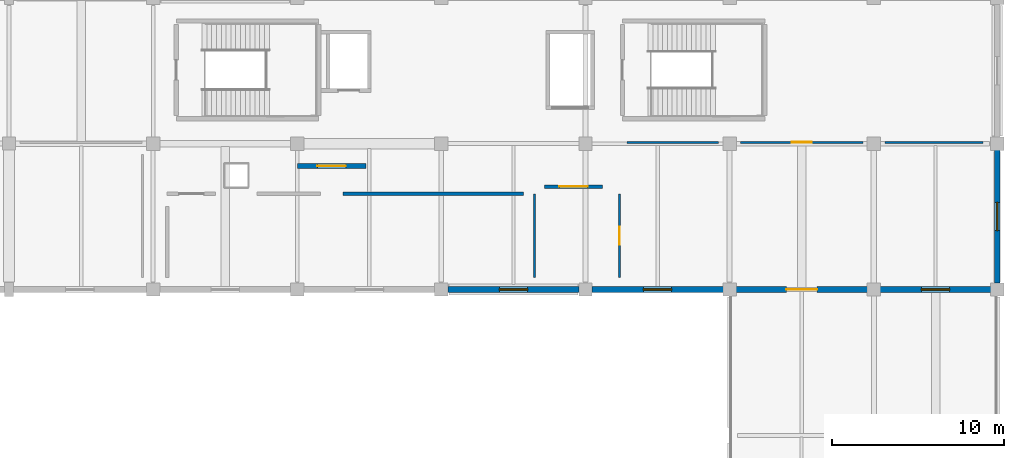
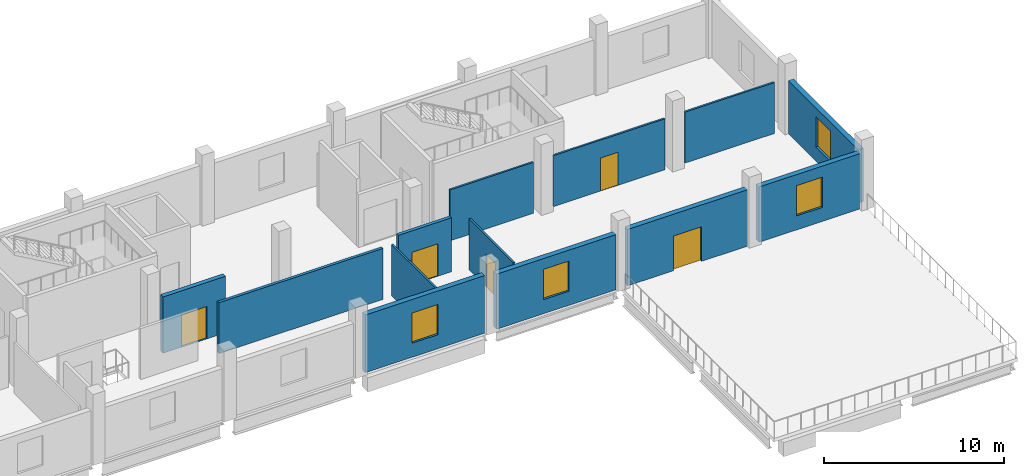
# One storey, part 105 of 117: 13 walls, 5 doors, 4 windows, 9 openings.
"""IFC4 building model written with IfcOpenShell, lengths in metres."""

import ifcopenshell
import ifcopenshell.guid

model = None  # the IFC model being written
_history = None  # IfcOwnerHistory: only IFC2X3 demands one
_inside = {}  # id of a spatial element -> (the spatial element, [elements in it])
_under = {}  # id of a project, library or spatial element -> (it, [spatial elements below it])
_declared = {}  # id of a project -> (the project, [libraries it declares])
_typed = {}  # id of a type object -> (the type object, [elements of that type])
_made_of = {}  # id of a material, layer set ... -> (it, [elements and type objects made of it])


def new_model(schema):
    """Start an empty IFC model of exactly this schema.

    Asked for "IFC4X3", IfcOpenShell would pick the latest addendum, in which some entities
    have other attributes; the version numbers below select the first issue.
    IFC2X3 requires an IfcOwnerHistory on every rooted entity: one is made here for all.
    """
    global model, _history
    if schema == "IFC4X3":
        model = ifcopenshell.file(schema_version=(4, 3, 0, 0))
    else:
        model = ifcopenshell.file(schema=schema)
    _inside.clear()
    _under.clear()
    _declared.clear()
    _typed.clear()
    _made_of.clear()
    _history = None
    if model.schema == "IFC2X3":
        org = make("IfcOrganization", Name="unknown")
        user = make(
            "IfcPersonAndOrganization",
            ThePerson=make("IfcPerson", FamilyName="unknown"),
            TheOrganization=org,
        )
        app = make(
            "IfcApplication",
            ApplicationDeveloper=org,
            Version="unknown",
            ApplicationFullName="unknown",
            ApplicationIdentifier="unknown",
        )
        _history = make(
            "IfcOwnerHistory",
            OwningUser=user,
            OwningApplication=app,
            ChangeAction="ADDED",
            CreationDate=0,
        )
    return model


def make(cls, **values):
    """One entity of the class cls with the attributes given. An attribute that is None is left unset."""
    return model.create_entity(
        cls, **{name: value for name, value in values.items() if value is not None}
    )


def rooted(cls, **values):
    """An entity with a GlobalId (a new one), such as an element, a storey or a relation."""
    return make(cls, GlobalId=ifcopenshell.guid.new(), OwnerHistory=_history, **values)


def si_unit(unit_type, name, prefix=None):
    """IfcSIUnit, for example si_unit("LENGTHUNIT", "METRE", prefix="MILLI")."""
    return make("IfcSIUnit", UnitType=unit_type, Prefix=prefix, Name=name)


def assignment(units):
    """IfcUnitAssignment: the units of a project."""
    return None if units is None else make("IfcUnitAssignment", Units=units)


def point(xyz):
    """IfcCartesianPoint."""
    return None if xyz is None else make("IfcCartesianPoint", Coordinates=xyz)


def direction(xyz):
    """IfcDirection."""
    return None if xyz is None else make("IfcDirection", DirectionRatios=xyz)


def frame(location, z_axis=None, x_axis=None):
    """IfcAxis2Placement3D, a coordinate frame: its origin and axes. An axis left out is left unset."""
    return make(
        "IfcAxis2Placement3D",
        Location=point(location),
        Axis=direction(z_axis),
        RefDirection=direction(x_axis),
    )


def frame_2d(location, x_axis=None):
    """IfcAxis2Placement2D, a coordinate frame in the plane: its origin and x axis."""
    return make(
        "IfcAxis2Placement2D", Location=point(location), RefDirection=direction(x_axis)
    )


def origin():
    """The frame at (0, 0, 0) with its axes left unset."""
    return frame((0.0, 0.0, 0.0))


def place(relative_to, where):
    """IfcLocalPlacement: puts the frame where relative to a parent placement (None: the world)."""
    return make(
        "IfcLocalPlacement", PlacementRelTo=relative_to, RelativePlacement=where
    )


def context(
    kind, dimensions, precision=None, world=None, true_north=None, identifier=None
):
    """IfcGeometricRepresentationContext, for example the 3D "Model" context."""
    return make(
        "IfcGeometricRepresentationContext",
        ContextIdentifier=identifier,
        ContextType=kind,
        CoordinateSpaceDimension=dimensions,
        Precision=precision,
        WorldCoordinateSystem=world,
        TrueNorth=true_north,
    )


def subcontext(parent, identifier, kind, view, scale=None):
    """IfcGeometricRepresentationSubContext, for example "Body" below "Model"."""
    return make(
        "IfcGeometricRepresentationSubContext",
        ContextIdentifier=identifier,
        ContextType=kind,
        ParentContext=parent,
        TargetScale=scale,
        TargetView=view,
    )


def project(units=None, contexts=None):
    """IfcProject with its units and contexts."""
    return rooted(
        "IfcProject",
        Name="project",
        RepresentationContexts=contexts,
        UnitsInContext=assignment(units),
    )


def spatial(cls, under=None, at=None, **own):
    """A site, building, storey or space (cls), placed at a placement, below another one or the project."""
    s = rooted(cls, ObjectPlacement=at, **own)
    if under is not None:
        _under.setdefault(under.id(), (under, []))[1].append(s)
    return s


def profile(cls, at=None, kind="AREA", **sizes):
    """A parametric profile (cls). Its sizes go by their IFC names, for example OverallWidth=200.0."""
    return make(cls, ProfileType=kind, Position=at, **sizes)


def rectangle(**sizes):
    """IfcRectangleProfileDef."""
    return profile("IfcRectangleProfileDef", **sizes)


def extrude(swept, where, along, depth):
    """IfcExtrudedAreaSolid: the profile swept, set in the frame where, extruded along a direction by depth."""
    return make(
        "IfcExtrudedAreaSolid",
        SweptArea=swept,
        Position=where,
        ExtrudedDirection=direction(along),
        Depth=depth,
    )


def shape(context_of_items, identifier, shape_type, items):
    """IfcShapeRepresentation: the items that make up one representation, for example the "Body"."""
    return make(
        "IfcShapeRepresentation",
        ContextOfItems=context_of_items,
        RepresentationIdentifier=identifier,
        RepresentationType=shape_type,
        Items=items,
    )


def material(Name=None, Category=None):
    """IfcMaterial."""
    return make("IfcMaterial", Name=Name, Category=Category)


def layer(
    of_material, thickness, ventilated=None, Name=None, Category=None, Priority=None
):
    """IfcMaterialLayer: one layer of a wall or slab, of a material (None: an air gap)."""
    return make(
        "IfcMaterialLayer",
        Material=of_material,
        LayerThickness=thickness,
        IsVentilated=ventilated,
        Name=Name,
        Category=Category,
        Priority=Priority,
    )


def layer_set(layers, Name=None):
    """IfcMaterialLayerSet."""
    return make("IfcMaterialLayerSet", MaterialLayers=layers, LayerSetName=Name)


def made_of(thing, what):
    """Note that an element or type object is made of a material, layer set ...; save() writes the relation."""
    if what is not None:
        _made_of.setdefault(what.id(), (what, []))[1].append(thing)
    return thing


def type_object(cls, material=None, **own):
    """A type object (cls), such as IfcWallType, which elements share."""
    return made_of(rooted(cls, **own), material)


def element(
    cls,
    number,
    at=None,
    inside=None,
    cuts=None,
    type_object=None,
    material=None,
    context=None,
    identifier="Body",
    shape_type=None,
    held_by="IfcProductDefinitionShape",
    body=None,
    shapes=None,
    **own,
):
    """One element of the class cls, such as IfcWall. Its Tag is "e" and its number.

    at: its placement. inside: the storey or other place that contains it. cuts: it is an
    opening in that element (IfcRelVoidsElement). A single representation is given by context,
    identifier, shape_type and body (its items); several are given by shapes. held_by: the class
    of the entity that holds the representations. save() writes the other relations.
    """
    e = rooted(cls, Tag="e%d" % number, ObjectPlacement=at, **own)
    if body is not None:
        shapes = [shape(context, identifier, shape_type, body)]
    if shapes is not None:
        e.Representation = make(held_by, Representations=shapes)
    if inside is not None:
        _inside.setdefault(inside.id(), (inside, []))[1].append(e)
    if cuts is not None:
        rooted(
            "IfcRelVoidsElement", RelatingBuildingElement=cuts, RelatedOpeningElement=e
        )
    if type_object is not None:
        _typed.setdefault(type_object.id(), (type_object, []))[1].append(e)
    return made_of(e, material)


def fill(opening, filler):
    """IfcRelFillsElement: the door or window that sits in an opening."""
    return rooted(
        "IfcRelFillsElement",
        RelatingOpeningElement=opening,
        RelatedBuildingElement=filler,
    )


def aggregate(whole, parts):
    """IfcRelAggregates: a whole, such as a stair, and the parts it consists of."""
    return rooted("IfcRelAggregates", RelatingObject=whole, RelatedObjects=parts)


def save(model, path):
    """Write the relations noted so far, then the file.

    IfcRelAggregates (storeys below a building ...), IfcRelContainedInSpatialStructure (elements
    in a storey), IfcRelDefinesByType, IfcRelAssociatesMaterial and IfcRelDeclares: one each for
    every whole, place, type object, material and project.
    """
    for whole, parts in _under.values():
        aggregate(whole, parts)
    for where, things in _inside.values():
        rooted(
            "IfcRelContainedInSpatialStructure",
            RelatedElements=things,
            RelatingStructure=where,
        )
    for kind, things in _typed.values():
        rooted("IfcRelDefinesByType", RelatedObjects=things, RelatingType=kind)
    for what, things in _made_of.values():
        rooted("IfcRelAssociatesMaterial", RelatedObjects=things, RelatingMaterial=what)
    for by, libraries in _declared.values():
        rooted("IfcRelDeclares", RelatingContext=by, RelatedDefinitions=libraries)
    model.write(path)


model = new_model("IFC4")

# Units and contexts
model_context = context("Model", 3, precision=1e-05, world=origin(), true_north=direction((0.0, 1.0)))
body_context = subcontext(model_context, "Body", "Model", "MODEL_VIEW")
ifc_project = project(units=[si_unit("LENGTHUNIT", "METRE"), si_unit("AREAUNIT", "SQUARE_METRE"), si_unit("VOLUMEUNIT", "CUBIC_METRE"), si_unit("PLANEANGLEUNIT", "RADIAN"), si_unit("MASSUNIT", "GRAM", prefix="KILO")], contexts=[model_context])

# Site, building, storey
site_placement = place(None, origin())
site = spatial("IfcSite", under=ifc_project, at=site_placement, CompositionType="ELEMENT")
building_placement = place(site_placement, origin())
building = spatial("IfcBuilding", under=site, at=building_placement, Name="Solvento Point Concert Hall", CompositionType="ELEMENT")
storey_placement = place(building_placement, frame((0.0, 0.0, 5.39990234375)))
storey = spatial("IfcBuildingStorey", under=building, at=storey_placement, Name="L01", CompositionType="ELEMENT", Elevation=5.39990234375)

# Wall, opening, door
ifc_material_1 = material(Name="Acoustic Double-Stud Gypsum Partition")
ifc_layer_1 = layer(ifc_material_1, 0.1201171875)
ifc_layer_set_1 = layer_set([ifc_layer_1], Name="Acoustic Double-Stud Gypsum Partition")
wall_type_1 = type_object("IfcWallType", Name="AcousticPartition_120", PredefinedType="PARTITIONING", material=ifc_layer_set_1)
wall_1_placement = place(storey_placement, frame((193.97998046875, 124.580078125, 0.0), z_axis=(0.0, 0.0, 1.0), x_axis=(0.0, -1.0, 0.0)))
wall_1 = element("IfcWall", 1, at=wall_1_placement, inside=storey, type_object=wall_type_1, Name="Interior acoustic partition PW-52 L01", PredefinedType="PARTITIONING", context=body_context, shape_type="SweptSolid", body=[
    extrude(rectangle(XDim=4.880126953125, YDim=0.1201171875, at=frame_2d((2.43994140625, 0.0))), origin(), (0.0, 0.0, 1.0), 3.4501953125),
])
opening_1_placement = place(wall_1_placement, frame((1.919921875, 0.0, 0.0)))
opening_1 = element("IfcOpeningElement", 2, at=opening_1_placement, cuts=wall_1, Name="Opening DR-79", PredefinedType="OPENING", context=body_context, shape_type="SweptSolid", body=[
    extrude(rectangle(XDim=1.0400390625, YDim=2.199951171875, at=frame_2d((0.52001953125, 1.10009765625))), frame((0.0, 0.070068359375, 0.0), z_axis=(0.0, -1.0, 0.0), x_axis=(1.0, 0.0, 0.0)), (0.0, 0.0, 1.0), 0.14013671875),
])
ifc_material_2 = material(Name="Brazilian Hardwood Acoustic Door", Category="wood")
door_type_1 = type_object("IfcDoorType", Name="IntDoor_SoloistSuite", OperationType="NOTDEFINED", PredefinedType="DOOR", material=ifc_material_2)
door_1_placement = place(opening_1_placement, origin())
door_1 = element("IfcDoor", 3, at=door_1_placement, inside=storey, type_object=door_type_1, Name="Interior door DR-79 L01", OperationType="SINGLE_SWING_LEFT", OverallHeight=2.199951171875, OverallWidth=1.0400390625, PredefinedType="DOOR", context=body_context, shape_type="SweptSolid", body=[
    extrude(rectangle(XDim=1.0400390625, YDim=2.199951171875, at=frame_2d((0.52001953125, 1.10009765625))), frame((0.0, 0.02490234375, 0.0), z_axis=(0.0, -1.0, 0.0), x_axis=(1.0, 0.0, 0.0)), (0.0, 0.0, 1.0), 0.050048828125),
])
fill(opening_1, door_1)

# Walls
wall_2_placement = place(storey_placement, frame((189.02001953125, 119.699951171875, 0.0), z_axis=(0.0, 0.0, 1.0), x_axis=(0.0, 1.0, 0.0)))
element("IfcWall", 4, at=wall_2_placement, inside=storey, type_object=wall_type_1, Name="Interior acoustic partition PW-52 L01", PredefinedType="PARTITIONING", context=body_context, shape_type="SweptSolid", body=[
    extrude(rectangle(XDim=4.880126953125, YDim=0.1201171875, at=frame_2d((2.43994140625, 0.0))), origin(), (0.0, 0.0, 1.0), 3.4501953125),
])
wall_3_placement = place(storey_placement, frame((194.419921875, 127.580078125, 0.0), z_axis=(0.0, 0.0, 1.0), x_axis=(1.0, 0.0, 0.0)))
element("IfcWall", 5, at=wall_3_placement, inside=storey, type_object=wall_type_1, Name="Interior acoustic partition PW-52 L01", PredefinedType="PARTITIONING", context=body_context, shape_type="SweptSolid", body=[
    extrude(rectangle(XDim=5.340087890625, YDim=0.1201171875, at=frame_2d((2.669921875, 0.0))), origin(), (0.0, 0.0, 1.0), 3.4501953125),
])

# Wall, opening, door
wall_4_placement = place(storey_placement, frame((201.0400390625, 127.580078125, 0.0), z_axis=(0.0, 0.0, 1.0), x_axis=(1.0, 0.0, 0.0)))
wall_4 = element("IfcWall", 6, at=wall_4_placement, inside=storey, type_object=wall_type_1, Name="Interior acoustic partition PW-52 L01", PredefinedType="PARTITIONING", context=body_context, shape_type="SweptSolid", body=[
    extrude(rectangle(XDim=7.119873046875, YDim=0.1201171875, at=frame_2d((3.56005859375, 0.0))), origin(), (0.0, 0.0, 1.0), 3.4501953125),
])
opening_2_placement = place(wall_4_placement, frame((2.985107421875, 0.0, 0.0)))
opening_2 = element("IfcOpeningElement", 7, at=opening_2_placement, cuts=wall_4, Name="Opening DR-24", PredefinedType="OPENING", context=body_context, shape_type="SweptSolid", body=[
    extrude(rectangle(XDim=1.14990234375, YDim=2.239990234375, at=frame_2d((0.574951171875, 1.1201171875))), frame((0.0, 0.070068359375, 0.0), z_axis=(0.0, -1.0, 0.0), x_axis=(1.0, 0.0, 0.0)), (0.0, 0.0, 1.0), 0.14013671875),
])
ifc_material_3 = material(Name="Brazilian Hardwood Acoustic Door", Category="wood")
door_type_2 = type_object("IfcDoorType", Name="IntDoor_ChorusDressing", OperationType="NOTDEFINED", PredefinedType="DOOR", material=ifc_material_3)
door_2_placement = place(opening_2_placement, origin())
door_2 = element("IfcDoor", 8, at=door_2_placement, inside=storey, type_object=door_type_2, Name="Interior door DR-24 L01", OperationType="SINGLE_SWING_LEFT", OverallHeight=2.239990234375, OverallWidth=1.14990234375, PredefinedType="DOOR", context=body_context, shape_type="SweptSolid", body=[
    extrude(rectangle(XDim=1.14990234375, YDim=2.239990234375, at=frame_2d((0.574951171875, 1.1201171875))), frame((0.0, 0.02490234375, 0.0), z_axis=(0.0, -1.0, 0.0), x_axis=(1.0, 0.0, 0.0)), (0.0, 0.0, 1.0), 0.050048828125),
])
fill(opening_2, door_2)

# Walls
wall_5_placement = place(storey_placement, frame((209.43994140625, 127.580078125, 0.0), z_axis=(0.0, 0.0, 1.0), x_axis=(1.0, 0.0, 0.0)))
element("IfcWall", 9, at=wall_5_placement, inside=storey, type_object=wall_type_1, Name="Interior acoustic partition PW-52 L01", PredefinedType="PARTITIONING", context=body_context, shape_type="SweptSolid", body=[
    extrude(rectangle(XDim=5.739990234375, YDim=0.1201171875, at=frame_2d((2.8701171875, 0.0))), origin(), (0.0, 0.0, 1.0), 3.4501953125),
])
ifc_material_4 = material(Name="Acoustic Double-Stud Gypsum Partition")
ifc_layer_2 = layer(ifc_material_4, 0.179931640625)
ifc_layer_set_2 = layer_set([ifc_layer_2], Name="Acoustic Double-Stud Gypsum Partition")
wall_type_2 = type_object("IfcWallType", Name="AcousticPartition_180", PredefinedType="PARTITIONING", material=ifc_layer_set_2)
wall_6_placement = place(storey_placement, frame((177.860595703125, 124.580078125, 0.0), z_axis=(0.0, 0.0, 1.0), x_axis=(1.0, 0.0, 0.0)))
element("IfcWall", 10, at=wall_6_placement, inside=storey, type_object=wall_type_2, Name="Interior acoustic partition PW-63 L01", PredefinedType="PARTITIONING", context=body_context, shape_type="SweptSolid", body=[
    extrude(rectangle(XDim=10.519287109375, YDim=0.179931640625, at=frame_2d((5.259765625, 0.0))), origin(), (0.0, 0.0, 1.0), 3.4501953125),
])

# Wall, opening, door
ifc_material_5 = material(Name="Acoustic Double-Stud Gypsum Partition")
ifc_layer_3 = layer(ifc_material_5, 0.2080078125)
ifc_layer_set_3 = layer_set([ifc_layer_3], Name="Acoustic Double-Stud Gypsum Partition")
wall_type_3 = type_object("IfcWallType", Name="AcousticPartition_208", PredefinedType="PARTITIONING", material=ifc_layer_set_3)
wall_7_placement = place(storey_placement, frame((189.60009765625, 125.0, 0.0), z_axis=(0.0, 0.0, 1.0), x_axis=(1.0, 0.0, 0.0)))
wall_7 = element("IfcWall", 11, at=wall_7_placement, inside=storey, type_object=wall_type_3, Name="Lift lobby partition LG-02 L01", PredefinedType="PARTITIONING", context=body_context, shape_type="SweptSolid", body=[
    extrude(rectangle(XDim=3.39990234375, YDim=0.2080078125, at=frame_2d((1.699951171875, 0.0))), origin(), (0.0, 0.0, 1.0), 3.655029296875),
])
opening_3_placement = place(wall_7_placement, frame((0.875, 0.0, 0.0)))
opening_3 = element("IfcOpeningElement", 12, at=opening_3_placement, cuts=wall_7, Name="Opening D-FL1", PredefinedType="OPENING", context=body_context, shape_type="SweptSolid", body=[
    extrude(rectangle(XDim=1.64990234375, YDim=2.199951171875, at=frame_2d((0.824951171875, 1.10009765625))), frame((0.0, 0.114013671875, 0.0), z_axis=(0.0, -1.0, 0.0), x_axis=(1.0, 0.0, 0.0)), (0.0, 0.0, 1.0), 0.22802734375),
])
ifc_material_6 = material(Name="Hollow Metal Acoustic Fire Door")
door_type_3 = type_object("IfcDoorType", Name="FireLobbyDoor_1600", OperationType="DOUBLE_DOOR_SINGLE_SWING", PredefinedType="DOOR", material=ifc_material_6)
door_3_placement = place(opening_3_placement, origin())
door_3 = element("IfcDoor", 13, at=door_3_placement, inside=storey, type_object=door_type_3, Name="Lift lobby door LG-02 L01", OperationType="DOUBLE_DOOR_SINGLE_SWING", OverallHeight=2.199951171875, OverallWidth=1.64990234375, PredefinedType="DOOR", context=body_context, shape_type="SweptSolid", body=[
    extrude(rectangle(XDim=1.64990234375, YDim=2.199951171875, at=frame_2d((0.824951171875, 1.10009765625))), frame((0.0, 0.02490234375, 0.0), z_axis=(0.0, -1.0, 0.0), x_axis=(1.0, 0.0, 0.0)), (0.0, 0.0, 1.0), 0.050048828125),
])
fill(opening_3, door_3)

ifc_material_7 = material(Name="Concrete C40/50", Category="concrete")
ifc_layer_4 = layer(ifc_material_7, 0.35009765625)
ifc_layer_set_4 = layer_set([ifc_layer_4], Name="Concrete C40/50")
wall_type_4 = type_object("IfcWallType", Name="CoreShearWall_350", PredefinedType="SHEAR", material=ifc_layer_set_4)
wall_8_placement = place(storey_placement, frame((175.199951171875, 126.199951171875, 0.0), z_axis=(0.0, 0.0, 1.0), x_axis=(1.0, 0.0, 0.0)))
wall_8 = element("IfcWall", 14, at=wall_8_placement, inside=storey, type_object=wall_type_4, Name="Firefighting lift lobby wall LF-01 L01", PredefinedType="SHEAR", context=body_context, shape_type="SweptSolid", body=[
    extrude(rectangle(XDim=4.0, YDim=0.280029296875, at=frame_2d((2.0, 0.0))), origin(), (0.0, 0.0, 1.0), 3.821044921875),
])
opening_4_placement = place(wall_8_placement, frame((1.175048828125, 0.0, 0.0)))
opening_4 = element("IfcOpeningElement", 15, at=opening_4_placement, cuts=wall_8, Name="Opening D-FL1", PredefinedType="OPENING", context=body_context, shape_type="SweptSolid", body=[
    extrude(rectangle(XDim=1.64990234375, YDim=2.199951171875, at=frame_2d((0.824951171875, 1.10009765625))), frame((0.0, 0.14990234375, 0.0), z_axis=(0.0, -1.0, 0.0), x_axis=(1.0, 0.0, 0.0)), (0.0, 0.0, 1.0), 0.300048828125),
])
door_4_placement = place(opening_4_placement, origin())
door_4 = element("IfcDoor", 16, at=door_4_placement, inside=storey, type_object=door_type_3, Name="Firefighting lobby door LF-01 L01", OperationType="DOUBLE_DOOR_SINGLE_SWING", OverallHeight=2.199951171875, OverallWidth=1.64990234375, PredefinedType="DOOR", context=body_context, shape_type="SweptSolid", body=[
    extrude(rectangle(XDim=1.64990234375, YDim=2.199951171875, at=frame_2d((0.824951171875, 1.10009765625))), frame((0.0, 0.02490234375, 0.0), z_axis=(0.0, -1.0, 0.0), x_axis=(1.0, 0.0, 0.0)), (0.0, 0.0, 1.0), 0.050048828125),
])
fill(opening_4, door_4)

# Wall, opening, window
ifc_material_8 = material(Name="Concrete C35/45", Category="concrete")
ifc_layer_5 = layer(ifc_material_8, 0.330078125)
ifc_layer_set_5 = layer_set([ifc_layer_5], Name="Concrete C35/45")
wall_type_5 = type_object("IfcWallType", Name="ExtWall_V5_Plinth_330", PredefinedType="SOLIDWALL", material=ifc_layer_set_5)
wall_9_placement = place(storey_placement, frame((216.0, 127.1298828125, 0.0), z_axis=(0.0, 0.0, 1.0), x_axis=(0.0, -1.0, 0.0)))
wall_9 = element("IfcWall", 17, at=wall_9_placement, inside=storey, type_object=wall_type_5, Name="Exterior architectural concrete wall EW-72 L01", PredefinedType="SOLIDWALL", context=body_context, shape_type="SweptSolid", body=[
    extrude(rectangle(XDim=7.759765625, YDim=0.330078125, at=frame_2d((3.8798828125, 0.0))), origin(), (0.0, 0.0, 1.0), 3.593994140625),
])
opening_5_placement = place(wall_9_placement, frame((3.054931640625, 0.0, 0.949951171875)))
opening_5 = element("IfcOpeningElement", 18, at=opening_5_placement, cuts=wall_9, Name="Opening WN-30", PredefinedType="OPENING", context=body_context, shape_type="SweptSolid", body=[
    extrude(rectangle(XDim=1.64990234375, YDim=2.050048828125, at=frame_2d((0.824951171875, 1.02490234375))), frame((0.0, 0.175048828125, 0.0), z_axis=(0.0, -1.0, 0.0), x_axis=(1.0, 0.0, 0.0)), (0.0, 0.0, 1.0), 0.35009765625),
])
ifc_material_9 = material(Name="Hurricane Laminated Low-E Glass", Category="glass")
window_type = type_object("IfcWindowType", Name="Win_V5_SoloistDress_L01", PartitioningType="SINGLE_PANEL", PredefinedType="WINDOW", material=ifc_material_9)
window_1_placement = place(opening_5_placement, origin())
window_1 = element("IfcWindow", 19, at=window_1_placement, inside=storey, type_object=window_type, Name="Impact acoustic window WN-30", OverallHeight=2.050048828125, OverallWidth=1.64990234375, PartitioningType="SINGLE_PANEL", PredefinedType="WINDOW", context=body_context, shape_type="SweptSolid", body=[
    extrude(rectangle(XDim=1.64990234375, YDim=2.050048828125, at=frame_2d((0.824951171875, 1.02490234375))), frame((0.0, 0.030029296875, 0.0), z_axis=(0.0, -1.0, 0.0), x_axis=(1.0, 0.0, 0.0)), (0.0, 0.0, 1.0), 0.06005859375),
])
fill(opening_5, window_1)

wall_10_placement = place(storey_placement, frame((191.6298828125, 119.0, 0.0), z_axis=(0.0, 0.0, 1.0), x_axis=(-1.0, 0.0, 0.0)))
wall_10 = element("IfcWall", 20, at=wall_10_placement, inside=storey, type_object=wall_type_5, Name="Exterior architectural concrete wall EW-72 L01", PredefinedType="SOLIDWALL", context=body_context, shape_type="SweptSolid", body=[
    extrude(rectangle(XDim=7.659912109375, YDim=0.330078125, at=frame_2d((3.830078125, 0.0))), origin(), (0.0, 0.0, 1.0), 3.906005859375),
])
opening_6_placement = place(wall_10_placement, frame((3.0048828125, 0.0, 0.949951171875)))
opening_6 = element("IfcOpeningElement", 21, at=opening_6_placement, cuts=wall_10, Name="Opening WN-30", PredefinedType="OPENING", context=body_context, shape_type="SweptSolid", body=[
    extrude(rectangle(XDim=1.64990234375, YDim=2.050048828125, at=frame_2d((0.824951171875, 1.02490234375))), frame((0.0, 0.175048828125, 0.0), z_axis=(0.0, -1.0, 0.0), x_axis=(1.0, 0.0, 0.0)), (0.0, 0.0, 1.0), 0.35009765625),
])
window_2_placement = place(opening_6_placement, origin())
window_2 = element("IfcWindow", 22, at=window_2_placement, inside=storey, type_object=window_type, Name="Impact acoustic window WN-30", OverallHeight=2.050048828125, OverallWidth=1.64990234375, PartitioningType="SINGLE_PANEL", PredefinedType="WINDOW", context=body_context, shape_type="SweptSolid", body=[
    extrude(rectangle(XDim=1.64990234375, YDim=2.050048828125, at=frame_2d((0.824951171875, 1.02490234375))), frame((0.0, 0.030029296875, 0.0), z_axis=(0.0, -1.0, 0.0), x_axis=(1.0, 0.0, 0.0)), (0.0, 0.0, 1.0), 0.06005859375),
])
fill(opening_6, window_2)

wall_11_placement = place(storey_placement, frame((200.030029296875, 119.0, 0.0), z_axis=(0.0, 0.0, 1.0), x_axis=(-1.0, 0.0, 0.0)))
wall_11 = element("IfcWall", 23, at=wall_11_placement, inside=storey, type_object=wall_type_5, Name="Exterior architectural concrete wall EW-72 L01", PredefinedType="SOLIDWALL", context=body_context, shape_type="SweptSolid", body=[
    extrude(rectangle(XDim=7.659912109375, YDim=0.330078125, at=frame_2d((3.830078125, 0.0))), origin(), (0.0, 0.0, 1.0), 3.734130859375),
])
opening_7_placement = place(wall_11_placement, frame((3.0048828125, 0.0, 0.949951171875)))
opening_7 = element("IfcOpeningElement", 24, at=opening_7_placement, cuts=wall_11, Name="Opening WN-30", PredefinedType="OPENING", context=body_context, shape_type="SweptSolid", body=[
    extrude(rectangle(XDim=1.64990234375, YDim=2.050048828125, at=frame_2d((0.824951171875, 1.02490234375))), frame((0.0, 0.175048828125, 0.0), z_axis=(0.0, -1.0, 0.0), x_axis=(1.0, 0.0, 0.0)), (0.0, 0.0, 1.0), 0.35009765625),
])
window_3_placement = place(opening_7_placement, origin())
window_3 = element("IfcWindow", 25, at=window_3_placement, inside=storey, type_object=window_type, Name="Impact acoustic window WN-30", OverallHeight=2.050048828125, OverallWidth=1.64990234375, PartitioningType="SINGLE_PANEL", PredefinedType="WINDOW", context=body_context, shape_type="SweptSolid", body=[
    extrude(rectangle(XDim=1.64990234375, YDim=2.050048828125, at=frame_2d((0.824951171875, 1.02490234375))), frame((0.0, 0.030029296875, 0.0), z_axis=(0.0, -1.0, 0.0), x_axis=(1.0, 0.0, 0.0)), (0.0, 0.0, 1.0), 0.06005859375),
])
fill(opening_7, window_3)

# Wall, opening, door
wall_12_placement = place(storey_placement, frame((208.429931640625, 119.0, 0.0), z_axis=(0.0, 0.0, 1.0), x_axis=(-1.0, 0.0, 0.0)))
wall_12 = element("IfcWall", 26, at=wall_12_placement, inside=storey, type_object=wall_type_5, Name="Exterior architectural concrete wall EW-72 L01", PredefinedType="SOLIDWALL", context=body_context, shape_type="SweptSolid", body=[
    extrude(rectangle(XDim=7.659912109375, YDim=0.330078125, at=frame_2d((3.830078125, 0.0))), origin(), (0.0, 0.0, 1.0), 3.821044921875),
])
opening_8_placement = place(wall_12_placement, frame((2.929931640625, 0.0, 0.0)))
opening_8 = element("IfcOpeningElement", 27, at=opening_8_placement, cuts=wall_12, Name="Opening TD-01", PredefinedType="OPENING", context=body_context, shape_type="SweptSolid", body=[
    extrude(rectangle(XDim=1.800048828125, YDim=2.35009765625, at=frame_2d((0.89990234375, 1.175048828125))), frame((0.0, 0.175048828125, 0.0), z_axis=(0.0, -1.0, 0.0), x_axis=(1.0, 0.0, 0.0)), (0.0, 0.0, 1.0), 0.35009765625),
])
ifc_material_10 = material(Name="Anodized Bronze Aluminium", Category="aluminium")
door_type_4 = type_object("IfcDoorType", Name="TerraceDoor_TD-01", OperationType="NOTDEFINED", PredefinedType="DOOR", material=ifc_material_10)
door_5_placement = place(opening_8_placement, origin())
door_5 = element("IfcDoor", 28, at=door_5_placement, inside=storey, type_object=door_type_4, Name="Exterior terrace access glazed door TD-01", OperationType="SINGLE_SWING_RIGHT", OverallHeight=2.35009765625, OverallWidth=1.800048828125, PredefinedType="DOOR", context=body_context, shape_type="SweptSolid", body=[
    extrude(rectangle(XDim=1.800048828125, YDim=2.35009765625, at=frame_2d((0.89990234375, 1.175048828125))), frame((0.0, 0.02490234375, 0.0), z_axis=(0.0, -1.0, 0.0), x_axis=(1.0, 0.0, 0.0)), (0.0, 0.0, 1.0), 0.050048828125),
])
fill(opening_8, door_5)

# Wall, opening, window
wall_13_placement = place(storey_placement, frame((215.6298828125, 119.0, 0.0), z_axis=(0.0, 0.0, 1.0), x_axis=(-1.0, 0.0, 0.0)))
wall_13 = element("IfcWall", 29, at=wall_13_placement, inside=storey, type_object=wall_type_5, Name="Exterior architectural concrete wall EW-72 L01", PredefinedType="SOLIDWALL", context=body_context, shape_type="SweptSolid", body=[
    extrude(rectangle(XDim=6.4599609375, YDim=0.330078125, at=frame_2d((3.22998046875, 0.0))), origin(), (0.0, 0.0, 1.0), 3.744140625),
])
opening_9_placement = place(wall_13_placement, frame((2.405029296875, 0.0, 0.949951171875)))
opening_9 = element("IfcOpeningElement", 30, at=opening_9_placement, cuts=wall_13, Name="Opening WN-30", PredefinedType="OPENING", context=body_context, shape_type="SweptSolid", body=[
    extrude(rectangle(XDim=1.64990234375, YDim=2.050048828125, at=frame_2d((0.824951171875, 1.02490234375))), frame((0.0, 0.175048828125, 0.0), z_axis=(0.0, -1.0, 0.0), x_axis=(1.0, 0.0, 0.0)), (0.0, 0.0, 1.0), 0.35009765625),
])
window_4_placement = place(opening_9_placement, origin())
window_4 = element("IfcWindow", 31, at=window_4_placement, inside=storey, type_object=window_type, Name="Impact acoustic window WN-30", OverallHeight=2.050048828125, OverallWidth=1.64990234375, PartitioningType="SINGLE_PANEL", PredefinedType="WINDOW", context=body_context, shape_type="SweptSolid", body=[
    extrude(rectangle(XDim=1.64990234375, YDim=2.050048828125, at=frame_2d((0.824951171875, 1.02490234375))), frame((0.0, 0.030029296875, 0.0), z_axis=(0.0, -1.0, 0.0), x_axis=(1.0, 0.0, 0.0)), (0.0, 0.0, 1.0), 0.06005859375),
])
fill(opening_9, window_4)

save(model, "model.ifc")
